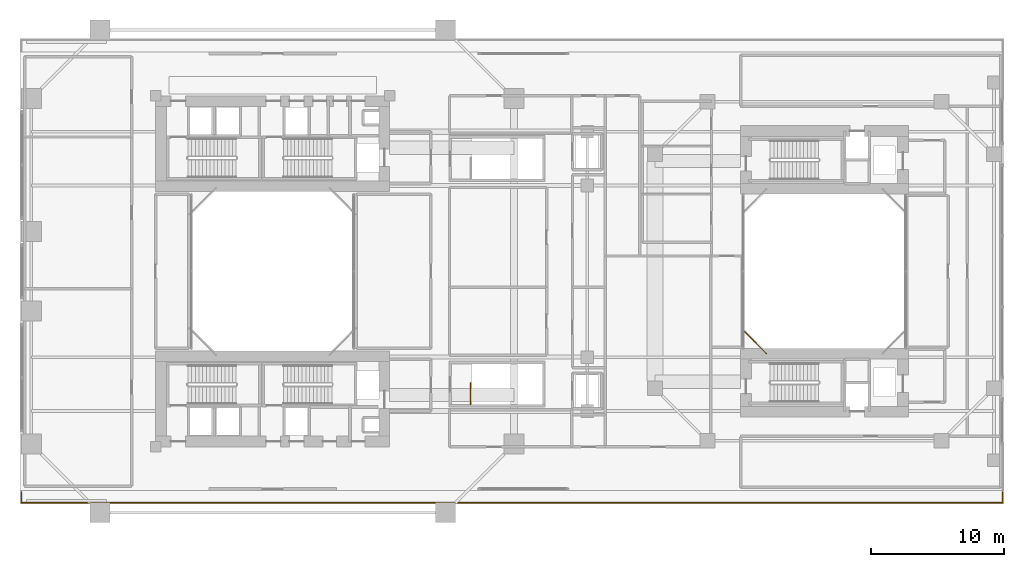
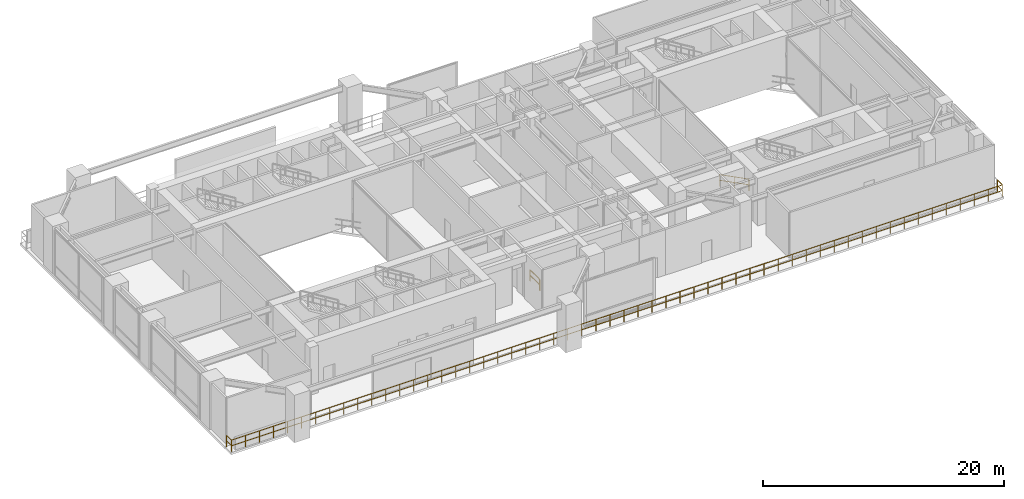
# One storey, part 17 of 19: 3 railings.
"""IFC4 building model written with IfcOpenShell, lengths in metres."""

from ifc_helpers import new_model, si_unit, direction, frame, origin, origin_2d, place, context, subcontext, project, spatial, rectangle, extrude, material, type_object, element, save


model = new_model("IFC4")

# Units and contexts
model_context = context("Model", 3, precision=1e-05, world=origin(), true_north=direction((0.0, 1.0)))
body_context = subcontext(model_context, "Body", "Model", "MODEL_VIEW")
ifc_project = project(units=[si_unit("LENGTHUNIT", "METRE"), si_unit("AREAUNIT", "SQUARE_METRE"), si_unit("VOLUMEUNIT", "CUBIC_METRE"), si_unit("PLANEANGLEUNIT", "RADIAN"), si_unit("MASSUNIT", "GRAM", prefix="KILO"), si_unit("THERMODYNAMICTEMPERATUREUNIT", "KELVIN"), si_unit("POWERUNIT", "WATT")], contexts=[model_context])

# Site, building, storey
site_placement = place(None, origin())
site = spatial("IfcSite", under=ifc_project, at=site_placement, CompositionType="ELEMENT")
building_placement = place(site_placement, origin())
building = spatial("IfcBuilding", under=site, at=building_placement, Name="Qiaomeng Ring Towers", CompositionType="ELEMENT")
storey_placement = place(building_placement, frame((0.0, 0.0, 18.199951171875)))
storey = spatial("IfcBuildingStorey", under=building, at=storey_placement, Name="L04", CompositionType="ELEMENT", Elevation=18.199951171875)

# Railings
ifc_material_1 = material(Name="Low-E pale-green laminated safety glass", Category="glass")
railing_type_1 = type_object("IfcRailingType", Name="ARC-RL-BAL1", PredefinedType="BALUSTRADE", material=ifc_material_1)
railing_1_placement = place(storey_placement, frame((0.10009765625, 6.419921875, 0.0)))
element("IfcRailing", 1, at=railing_1_placement, inside=storey, type_object=railing_type_1, Name="L04 Balustrade ARC-BAL-L04-POD-S", PredefinedType="BALUSTRADE", context=body_context, shape_type="SweptSolid", body=[
    extrude(rectangle(XDim=0.048095703125, YDim=0.048095703125, at=origin_2d()), frame((0.0, 0.0, 1.17578125), z_axis=(0.0, -1.0, 0.0), x_axis=(1.0, 0.0, 0.0)), (0.0, 0.0, 1.0), 0.81982421875),
    extrude(rectangle(XDim=0.048095703125, YDim=0.048095703125, at=origin_2d()), frame((0.0, 0.0, 0.60009765625), z_axis=(0.0, -1.0, 0.0), x_axis=(1.0, 0.0, 0.0)), (0.0, 0.0, 1.0), 0.81982421875),
    extrude(rectangle(XDim=0.048095703125, YDim=0.048095703125, at=origin_2d()), frame((0.0, -0.81982421875, 1.17578125), z_axis=(1.0, 0.0, 0.0), x_axis=(0.0, 1.0, 0.0)), (0.0, 0.0, 1.0), 73.7998046875),
    extrude(rectangle(XDim=0.048095703125, YDim=0.048095703125, at=origin_2d()), frame((0.0, -0.81982421875, 0.60009765625), z_axis=(1.0, 0.0, 0.0), x_axis=(0.0, 1.0, 0.0)), (0.0, 0.0, 1.0), 73.7998046875),
    extrude(rectangle(XDim=0.048095703125, YDim=0.048095703125, at=origin_2d()), frame((73.7998046875, -0.81982421875, 1.17578125), z_axis=(0.0, 1.0, 0.0), x_axis=(-1.0, 0.0, 0.0)), (0.0, 0.0, 1.0), 0.81982421875),
    extrude(rectangle(XDim=0.048095703125, YDim=0.048095703125, at=origin_2d()), frame((73.7998046875, -0.81982421875, 0.60009765625), z_axis=(0.0, 1.0, 0.0), x_axis=(-1.0, 0.0, 0.0)), (0.0, 0.0, 1.0), 0.81982421875),
    extrude(rectangle(XDim=0.0419921875, YDim=0.0419921875, at=origin_2d()), origin(), (0.0, 0.0, 1.0), 1.15185546875),
    extrude(rectangle(XDim=0.0419921875, YDim=0.0419921875, at=origin_2d()), frame((0.0, -0.81982421875, 0.0)), (0.0, 0.0, 1.0), 1.15185546875),
    extrude(rectangle(XDim=0.0419921875, YDim=0.0419921875, at=origin_2d()), frame((1.341796875, -0.81982421875, 0.0)), (0.0, 0.0, 1.0), 1.15185546875),
    extrude(rectangle(XDim=0.0419921875, YDim=0.0419921875, at=origin_2d()), frame((2.68359375, -0.81982421875, 0.0)), (0.0, 0.0, 1.0), 1.15185546875),
    extrude(rectangle(XDim=0.0419921875, YDim=0.0419921875, at=origin_2d()), frame((4.025390625, -0.81982421875, 0.0)), (0.0, 0.0, 1.0), 1.15185546875),
    extrude(rectangle(XDim=0.0419921875, YDim=0.0419921875, at=origin_2d()), frame((5.3671875, -0.81982421875, 0.0)), (0.0, 0.0, 1.0), 1.15185546875),
    extrude(rectangle(XDim=0.0419921875, YDim=0.0419921875, at=origin_2d()), frame((6.708984375, -0.81982421875, 0.0)), (0.0, 0.0, 1.0), 1.15185546875),
    extrude(rectangle(XDim=0.0419921875, YDim=0.0419921875, at=origin_2d()), frame((8.05078125, -0.81982421875, 0.0)), (0.0, 0.0, 1.0), 1.15185546875),
    extrude(rectangle(XDim=0.0419921875, YDim=0.0419921875, at=origin_2d()), frame((9.392822265625, -0.81982421875, 0.0)), (0.0, 0.0, 1.0), 1.15185546875),
    extrude(rectangle(XDim=0.0419921875, YDim=0.0419921875, at=origin_2d()), frame((10.734619140625, -0.81982421875, 0.0)), (0.0, 0.0, 1.0), 1.15185546875),
    extrude(rectangle(XDim=0.0419921875, YDim=0.0419921875, at=origin_2d()), frame((12.076416015625, -0.81982421875, 0.0)), (0.0, 0.0, 1.0), 1.15185546875),
    extrude(rectangle(XDim=0.0419921875, YDim=0.0419921875, at=origin_2d()), frame((13.418212890625, -0.81982421875, 0.0)), (0.0, 0.0, 1.0), 1.15185546875),
    extrude(rectangle(XDim=0.0419921875, YDim=0.0419921875, at=origin_2d()), frame((14.760009765625, -0.81982421875, 0.0)), (0.0, 0.0, 1.0), 1.15185546875),
    extrude(rectangle(XDim=0.0419921875, YDim=0.0419921875, at=origin_2d()), frame((16.101806640625, -0.81982421875, 0.0)), (0.0, 0.0, 1.0), 1.15185546875),
    extrude(rectangle(XDim=0.0419921875, YDim=0.0419921875, at=origin_2d()), frame((17.443603515625, -0.81982421875, 0.0)), (0.0, 0.0, 1.0), 1.15185546875),
    extrude(rectangle(XDim=0.0419921875, YDim=0.0419921875, at=origin_2d()), frame((18.785400390625, -0.81982421875, 0.0)), (0.0, 0.0, 1.0), 1.15185546875),
    extrude(rectangle(XDim=0.0419921875, YDim=0.0419921875, at=origin_2d()), frame((20.127197265625, -0.81982421875, 0.0)), (0.0, 0.0, 1.0), 1.15185546875),
    extrude(rectangle(XDim=0.0419921875, YDim=0.0419921875, at=origin_2d()), frame((21.468994140625, -0.81982421875, 0.0)), (0.0, 0.0, 1.0), 1.15185546875),
    extrude(rectangle(XDim=0.0419921875, YDim=0.0419921875, at=origin_2d()), frame((22.810791015625, -0.81982421875, 0.0)), (0.0, 0.0, 1.0), 1.15185546875),
    extrude(rectangle(XDim=0.0419921875, YDim=0.0419921875, at=origin_2d()), frame((24.152587890625, -0.81982421875, 0.0)), (0.0, 0.0, 1.0), 1.15185546875),
    extrude(rectangle(XDim=0.0419921875, YDim=0.0419921875, at=origin_2d()), frame((25.494384765625, -0.81982421875, 0.0)), (0.0, 0.0, 1.0), 1.15185546875),
    extrude(rectangle(XDim=0.0419921875, YDim=0.0419921875, at=origin_2d()), frame((26.836181640625, -0.81982421875, 0.0)), (0.0, 0.0, 1.0), 1.15185546875),
    extrude(rectangle(XDim=0.0419921875, YDim=0.0419921875, at=origin_2d()), frame((28.17822265625, -0.81982421875, 0.0)), (0.0, 0.0, 1.0), 1.15185546875),
    extrude(rectangle(XDim=0.0419921875, YDim=0.0419921875, at=origin_2d()), frame((29.52001953125, -0.81982421875, 0.0)), (0.0, 0.0, 1.0), 1.15185546875),
    extrude(rectangle(XDim=0.0419921875, YDim=0.0419921875, at=origin_2d()), frame((30.86181640625, -0.81982421875, 0.0)), (0.0, 0.0, 1.0), 1.15185546875),
    extrude(rectangle(XDim=0.0419921875, YDim=0.0419921875, at=origin_2d()), frame((32.20361328125, -0.81982421875, 0.0)), (0.0, 0.0, 1.0), 1.15185546875),
    extrude(rectangle(XDim=0.0419921875, YDim=0.0419921875, at=origin_2d()), frame((33.54541015625, -0.81982421875, 0.0)), (0.0, 0.0, 1.0), 1.15185546875),
    extrude(rectangle(XDim=0.0419921875, YDim=0.0419921875, at=origin_2d()), frame((34.88720703125, -0.81982421875, 0.0)), (0.0, 0.0, 1.0), 1.15185546875),
    extrude(rectangle(XDim=0.0419921875, YDim=0.0419921875, at=origin_2d()), frame((36.22900390625, -0.81982421875, 0.0)), (0.0, 0.0, 1.0), 1.15185546875),
    extrude(rectangle(XDim=0.0419921875, YDim=0.0419921875, at=origin_2d()), frame((37.57080078125, -0.81982421875, 0.0)), (0.0, 0.0, 1.0), 1.15185546875),
    extrude(rectangle(XDim=0.0419921875, YDim=0.0419921875, at=origin_2d()), frame((38.91259765625, -0.81982421875, 0.0)), (0.0, 0.0, 1.0), 1.15185546875),
    extrude(rectangle(XDim=0.0419921875, YDim=0.0419921875, at=origin_2d()), frame((40.25439453125, -0.81982421875, 0.0)), (0.0, 0.0, 1.0), 1.15185546875),
    extrude(rectangle(XDim=0.0419921875, YDim=0.0419921875, at=origin_2d()), frame((41.59619140625, -0.81982421875, 0.0)), (0.0, 0.0, 1.0), 1.15185546875),
    extrude(rectangle(XDim=0.0419921875, YDim=0.0419921875, at=origin_2d()), frame((42.93798828125, -0.81982421875, 0.0)), (0.0, 0.0, 1.0), 1.15185546875),
    extrude(rectangle(XDim=0.0419921875, YDim=0.0419921875, at=origin_2d()), frame((44.27978515625, -0.81982421875, 0.0)), (0.0, 0.0, 1.0), 1.15185546875),
    extrude(rectangle(XDim=0.0419921875, YDim=0.0419921875, at=origin_2d()), frame((45.62158203125, -0.81982421875, 0.0)), (0.0, 0.0, 1.0), 1.15185546875),
    extrude(rectangle(XDim=0.0419921875, YDim=0.0419921875, at=origin_2d()), frame((46.963623046875, -0.81982421875, 0.0)), (0.0, 0.0, 1.0), 1.15185546875),
    extrude(rectangle(XDim=0.0419921875, YDim=0.0419921875, at=origin_2d()), frame((48.305419921875, -0.81982421875, 0.0)), (0.0, 0.0, 1.0), 1.15185546875),
    extrude(rectangle(XDim=0.0419921875, YDim=0.0419921875, at=origin_2d()), frame((49.647216796875, -0.81982421875, 0.0)), (0.0, 0.0, 1.0), 1.15185546875),
    extrude(rectangle(XDim=0.0419921875, YDim=0.0419921875, at=origin_2d()), frame((50.989013671875, -0.81982421875, 0.0)), (0.0, 0.0, 1.0), 1.15185546875),
    extrude(rectangle(XDim=0.0419921875, YDim=0.0419921875, at=origin_2d()), frame((52.330810546875, -0.81982421875, 0.0)), (0.0, 0.0, 1.0), 1.15185546875),
    extrude(rectangle(XDim=0.0419921875, YDim=0.0419921875, at=origin_2d()), frame((53.672607421875, -0.81982421875, 0.0)), (0.0, 0.0, 1.0), 1.15185546875),
    extrude(rectangle(XDim=0.0419921875, YDim=0.0419921875, at=origin_2d()), frame((55.014404296875, -0.81982421875, 0.0)), (0.0, 0.0, 1.0), 1.15185546875),
    extrude(rectangle(XDim=0.0419921875, YDim=0.0419921875, at=origin_2d()), frame((56.356201171875, -0.81982421875, 0.0)), (0.0, 0.0, 1.0), 1.15185546875),
    extrude(rectangle(XDim=0.0419921875, YDim=0.0419921875, at=origin_2d()), frame((57.697998046875, -0.81982421875, 0.0)), (0.0, 0.0, 1.0), 1.15185546875),
    extrude(rectangle(XDim=0.0419921875, YDim=0.0419921875, at=origin_2d()), frame((59.039794921875, -0.81982421875, 0.0)), (0.0, 0.0, 1.0), 1.15185546875),
    extrude(rectangle(XDim=0.0419921875, YDim=0.0419921875, at=origin_2d()), frame((60.381591796875, -0.81982421875, 0.0)), (0.0, 0.0, 1.0), 1.15185546875),
    extrude(rectangle(XDim=0.0419921875, YDim=0.0419921875, at=origin_2d()), frame((61.723388671875, -0.81982421875, 0.0)), (0.0, 0.0, 1.0), 1.15185546875),
    extrude(rectangle(XDim=0.0419921875, YDim=0.0419921875, at=origin_2d()), frame((63.065185546875, -0.81982421875, 0.0)), (0.0, 0.0, 1.0), 1.15185546875),
    extrude(rectangle(XDim=0.0419921875, YDim=0.0419921875, at=origin_2d()), frame((64.406982421875, -0.81982421875, 0.0)), (0.0, 0.0, 1.0), 1.15185546875),
    extrude(rectangle(XDim=0.0419921875, YDim=0.0419921875, at=origin_2d()), frame((65.7490234375, -0.81982421875, 0.0)), (0.0, 0.0, 1.0), 1.15185546875),
    extrude(rectangle(XDim=0.0419921875, YDim=0.0419921875, at=origin_2d()), frame((67.0908203125, -0.81982421875, 0.0)), (0.0, 0.0, 1.0), 1.15185546875),
    extrude(rectangle(XDim=0.0419921875, YDim=0.0419921875, at=origin_2d()), frame((68.4326171875, -0.81982421875, 0.0)), (0.0, 0.0, 1.0), 1.15185546875),
    extrude(rectangle(XDim=0.0419921875, YDim=0.0419921875, at=origin_2d()), frame((69.7744140625, -0.81982421875, 0.0)), (0.0, 0.0, 1.0), 1.15185546875),
    extrude(rectangle(XDim=0.0419921875, YDim=0.0419921875, at=origin_2d()), frame((71.1162109375, -0.81982421875, 0.0)), (0.0, 0.0, 1.0), 1.15185546875),
    extrude(rectangle(XDim=0.0419921875, YDim=0.0419921875, at=origin_2d()), frame((72.4580078125, -0.81982421875, 0.0)), (0.0, 0.0, 1.0), 1.15185546875),
    extrude(rectangle(XDim=0.0419921875, YDim=0.0419921875, at=origin_2d()), frame((73.7998046875, -0.81982421875, 0.0)), (0.0, 0.0, 1.0), 1.15185546875),
    extrude(rectangle(XDim=0.0419921875, YDim=0.0419921875, at=origin_2d()), frame((73.7998046875, 0.0, 0.0)), (0.0, 0.0, 1.0), 1.15185546875),
])
railing_2_placement = place(storey_placement, frame((54.320068359375, 18.6201171875, 0.0)))
element("IfcRailing", 2, at=railing_2_placement, inside=storey, type_object=railing_type_1, Name="L04 Balustrade ARC-BAL-WELL2-L04-4", PredefinedType="BALUSTRADE", context=body_context, shape_type="SweptSolid", body=[
    extrude(rectangle(XDim=0.048095703125, YDim=0.048095703125, at=origin_2d()), frame((0.0, 0.0, 1.17578125), z_axis=(0.707106781187, -0.707106781187, 0.0), x_axis=(0.707106781187, 0.707106781187, 0.0)), (0.0, 0.0, 1.0), 2.545654296875),
    extrude(rectangle(XDim=0.048095703125, YDim=0.048095703125, at=origin_2d()), frame((0.0, 0.0, 0.60009765625), z_axis=(0.707106781187, -0.707106781187, 0.0), x_axis=(0.707106781187, 0.707106781187, 0.0)), (0.0, 0.0, 1.0), 2.545654296875),
    extrude(rectangle(XDim=0.0419921875, YDim=0.0419921875, at=origin_2d()), origin(), (0.0, 0.0, 1.0), 1.15185546875),
    extrude(rectangle(XDim=0.0419921875, YDim=0.0419921875, at=origin_2d()), frame((0.89990234375, -0.89990234375, 0.0)), (0.0, 0.0, 1.0), 1.15185546875),
    extrude(rectangle(XDim=0.0419921875, YDim=0.0419921875, at=origin_2d()), frame((1.800048828125, -1.800048828125, 0.0)), (0.0, 0.0, 1.0), 1.15185546875),
])
ifc_material_2 = material(Name="Galvanised steel", Category="steel")
railing_type_2 = type_object("IfcRailingType", Name="ARC-RL-GUARD", PredefinedType="GUARDRAIL", material=ifc_material_2)
railing_3_placement = place(storey_placement, frame((33.8798828125, 13.0, 0.0)))
element("IfcRailing", 3, at=railing_3_placement, inside=storey, type_object=railing_type_2, Name="L04 ST8 top well guard 1", PredefinedType="GUARDRAIL", context=body_context, shape_type="SweptSolid", body=[
    extrude(rectangle(XDim=0.048095703125, YDim=0.048095703125, at=origin_2d()), frame((0.0, 0.0, 1.1259765625), z_axis=(0.0, 1.0, 0.0), x_axis=(-1.0, 0.0, 0.0)), (0.0, 0.0, 1.0), 1.590087890625),
    extrude(rectangle(XDim=0.048095703125, YDim=0.048095703125, at=origin_2d()), frame((0.0, 0.0, 0.574951171875), z_axis=(0.0, 1.0, 0.0), x_axis=(-1.0, 0.0, 0.0)), (0.0, 0.0, 1.0), 1.590087890625),
    extrude(rectangle(XDim=0.0419921875, YDim=0.0419921875, at=origin_2d()), origin(), (0.0, 0.0, 1.0), 1.101806640625),
    extrude(rectangle(XDim=0.0419921875, YDim=0.0419921875, at=origin_2d()), frame((0.0, 1.590087890625, 0.0)), (0.0, 0.0, 1.0), 1.101806640625),
])

save(model, "model.ifc")
